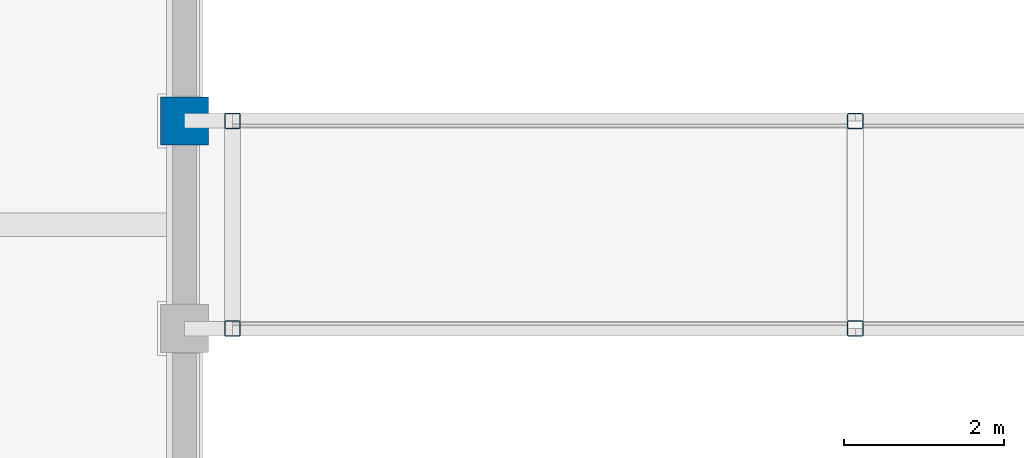
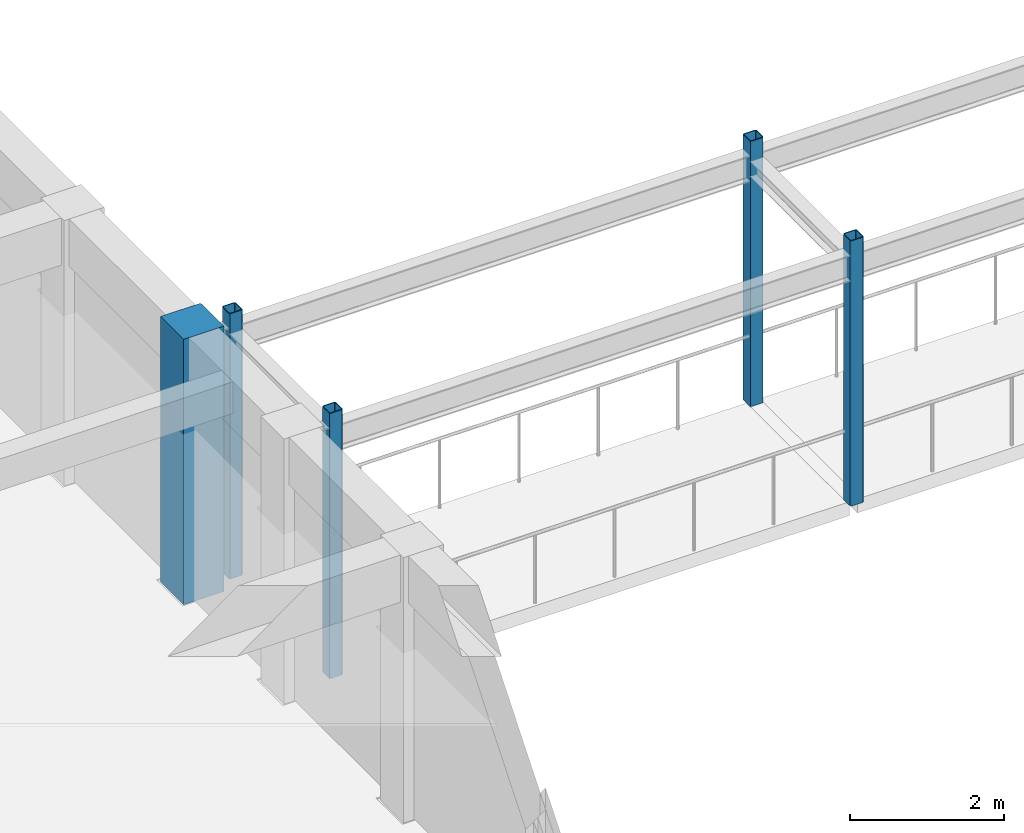
# One storey, part 8 of 57: 5 columns.
"""IFC4 building model written with IfcOpenShell, lengths in metres."""

from ifc_helpers import new_model, si_unit, direction, frame, origin, origin_2d, place, context, subcontext, project, spatial, rectangle, hollow_rectangle, extrude, material, material_profile, profile_set, type_object, element, save


model = new_model("IFC4")

# Units and contexts
model_context = context("Model", 3, precision=1e-05, world=origin(), true_north=direction((0.0, 1.0)))
body_context = subcontext(model_context, "Body", "Model", "MODEL_VIEW")
ifc_project = project(units=[si_unit("LENGTHUNIT", "METRE"), si_unit("AREAUNIT", "SQUARE_METRE"), si_unit("VOLUMEUNIT", "CUBIC_METRE"), si_unit("PLANEANGLEUNIT", "RADIAN"), si_unit("MASSUNIT", "GRAM", prefix="KILO")], contexts=[model_context])

# Site, building, storey
site_placement = place(None, origin())
site = spatial("IfcSite", under=ifc_project, at=site_placement, CompositionType="ELEMENT")
building_placement = place(site_placement, origin())
building = spatial("IfcBuilding", under=site, at=building_placement, Name="Kemercrest Conservatory and Botanical Centre", CompositionType="ELEMENT")
storey_placement = place(building_placement, frame((0.0, 0.0, 4.800048828125)))
storey = spatial("IfcBuildingStorey", under=building, at=storey_placement, Name="L01", CompositionType="ELEMENT", Elevation=4.800048828125)

# Columns
ifc_material_1 = material(Name="Concrete C40/50", Category="concrete")
ifc_material_profile_1 = material_profile(ifc_material_1, rectangle(XDim=0.60009765625, YDim=0.60009765625, at=origin_2d()), Name="RC 600x600")
ifc_profile_set_1 = profile_set([ifc_material_profile_1], Name="Concrete C40/50")
column_type_1 = type_object("IfcColumnType", Name="C-RC60", PredefinedType="COLUMN", material=ifc_profile_set_1)
column_placement = place(storey_placement, frame((92.0, 101.699951171875, 0.0), z_axis=(0.0, 0.0, 1.0), x_axis=(1.0, 0.0, 0.0)))
element("IfcColumn", 1, at=column_placement, inside=storey, type_object=column_type_1, Name="North Courtyard Covered Passage SJ-3 org pier column 2", PredefinedType="COLUMN", context=body_context, shape_type="SweptSolid", body=[
    extrude(rectangle(XDim=0.60009765625, YDim=0.60009765625, at=origin_2d()), origin(), (0.0, 0.0, 1.0), 4.199951171875),
])
ifc_material_2 = material(Name="Steel CSA G40.21 350W", Category="steel")
ifc_material_profile_2 = material_profile(ifc_material_2, hollow_rectangle(XDim=0.203125, YDim=0.203125, WallThickness=0.0126953125, InnerFilletRadius=0.0126953125, OuterFilletRadius=0.02490234375, at=origin_2d()), Name="HSS 203x203x12.7")
ifc_profile_set_2 = profile_set([ifc_material_profile_2], Name="Steel CSA G40.21 350W")
column_type_2 = type_object("IfcColumnType", Name="C-S203", PredefinedType="COLUMN", material=ifc_profile_set_2)
for number, where, z_axis, x_axis, name in (
    (2, (92.60009765625, 99.10009765625, 0.0), (0.0, 0.0, 1.0), (1.0, 0.0, 0.0), "North Courtyard Covered Passage SJ-3 support column P0-1"),
    (3, (92.60009765625, 101.699951171875, 0.0), (0.0, 0.0, 1.0), (1.0, 0.0, 0.0), "North Courtyard Covered Passage SJ-3 support column P0-2"),
    (4, (100.39990234375, 99.10009765625, 0.0), (0.0, 0.0, 1.0), (1.0, 0.0, 0.0), "North Courtyard Covered Passage SJ-3 support column P1-1"),
    (5, (100.39990234375, 101.699951171875, 0.0), (0.0, 0.0, 1.0), (1.0, 0.0, 0.0), "North Courtyard Covered Passage SJ-3 support column P1-2"),
):
    element("IfcColumn", number, at=place(storey_placement, frame(where, z_axis=z_axis, x_axis=x_axis)), inside=storey, type_object=column_type_2, Name=name, PredefinedType="COLUMN", context=body_context, shape_type="SweptSolid", body=[
        extrude(hollow_rectangle(XDim=0.203125, YDim=0.203125, WallThickness=0.0126953125, InnerFilletRadius=0.0126953125, OuterFilletRadius=0.02490234375, at=origin_2d()), origin(), (0.0, 0.0, 1.0), 4.199951171875),
    ])

save(model, "model.ifc")
